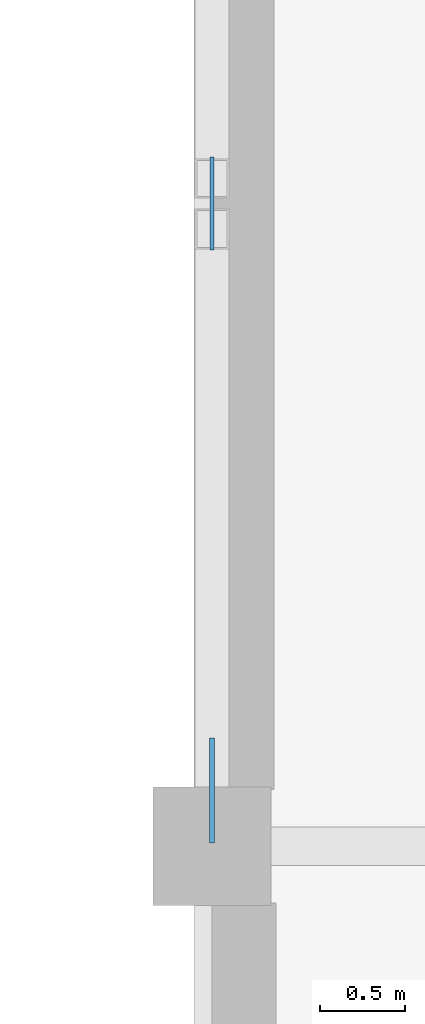
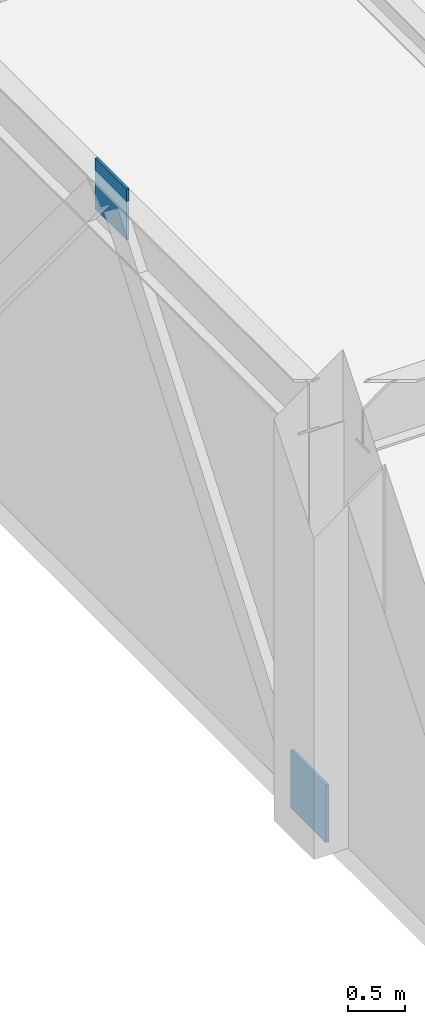
# One storey, part 58 of 72: 2 plates.
"""IFC4 building model written with IfcOpenShell, lengths in metres."""

from ifc_helpers import new_model, si_unit, direction, frame, origin, origin_2d, place, context, subcontext, project, spatial, rectangle, extrude, material, layer, layer_set, type_object, element, save


model = new_model("IFC4")

# Units and contexts
model_context = context("Model", 3, precision=1e-05, world=origin(), true_north=direction((0.0, 1.0)))
body_context = subcontext(model_context, "Body", "Model", "MODEL_VIEW")
ifc_project = project(units=[si_unit("LENGTHUNIT", "METRE"), si_unit("AREAUNIT", "SQUARE_METRE"), si_unit("VOLUMEUNIT", "CUBIC_METRE"), si_unit("PLANEANGLEUNIT", "RADIAN"), si_unit("MASSUNIT", "GRAM", prefix="KILO")], contexts=[model_context])

# Site, building, storey
site_placement = place(None, origin())
site = spatial("IfcSite", under=ifc_project, at=site_placement, CompositionType="ELEMENT")
building_placement = place(site_placement, origin())
building = spatial("IfcBuilding", under=site, at=building_placement, Name="Xicomal Pleat Aquarium", CompositionType="ELEMENT")
storey_placement = place(building_placement, frame((0.0, 0.0, 10.5)))
storey = spatial("IfcBuildingStorey", under=building, at=storey_placement, Name="L03", CompositionType="ELEMENT", Elevation=10.5)

# Plates
ifc_material_1 = material(Name="Structural steel A992 Gr 50", Category="steel")
ifc_layer_1 = layer(ifc_material_1, 0.030029296875)
ifc_layer_set_1 = layer_set([ifc_layer_1], Name="Structural steel A992 Gr 50")
plate_type_1 = type_object("IfcPlateType", Name="PLT-CAP-30", PredefinedType="SHEET", material=ifc_layer_set_1)
plate_1_placement = place(storey_placement, frame((3.0, 53.530029296875, -0.16015625), z_axis=(0.0, 0.0, 1.0), x_axis=(0.0, 1.0, 0.0)))
element("IfcPlate", 1, at=plate_1_placement, inside=storey, type_object=plate_type_1, Name="L03 HSS end cap plate 9", PredefinedType="SHEET", context=body_context, shape_type="SweptSolid", body=[
    extrude(rectangle(XDim=0.6201171875, YDim=0.030029296875, at=origin_2d()), origin(), (0.0, 0.0, 1.0), 0.6201171875),
])
ifc_material_2 = material(Name="Structural steel A992 Gr 50", Category="steel")
ifc_layer_2 = layer(ifc_material_2, 0.02490234375)
ifc_layer_set_2 = layer_set([ifc_layer_2], Name="Structural steel A992 Gr 50")
plate_type_2 = type_object("IfcPlateType", Name="PLT-GUS-25", PredefinedType="USERDEFINED", material=ifc_layer_set_2)
plate_2_placement = place(storey_placement, frame((3.0, 57.0, 4.1748046875), z_axis=(0.0, 0.0, 1.0), x_axis=(0.0, 1.0, 0.0)))
element("IfcPlate", 2, at=plate_2_placement, inside=storey, type_object=plate_type_2, Name="L03 chevron gusset node plate 9", ObjectType="GUSSET PLATE", PredefinedType="USERDEFINED", context=body_context, shape_type="SweptSolid", body=[
    extrude(rectangle(XDim=0.550048828125, YDim=0.02490234375, at=origin_2d()), origin(), (0.0, 0.0, 1.0), 0.550048828125),
])

save(model, "model.ifc")
